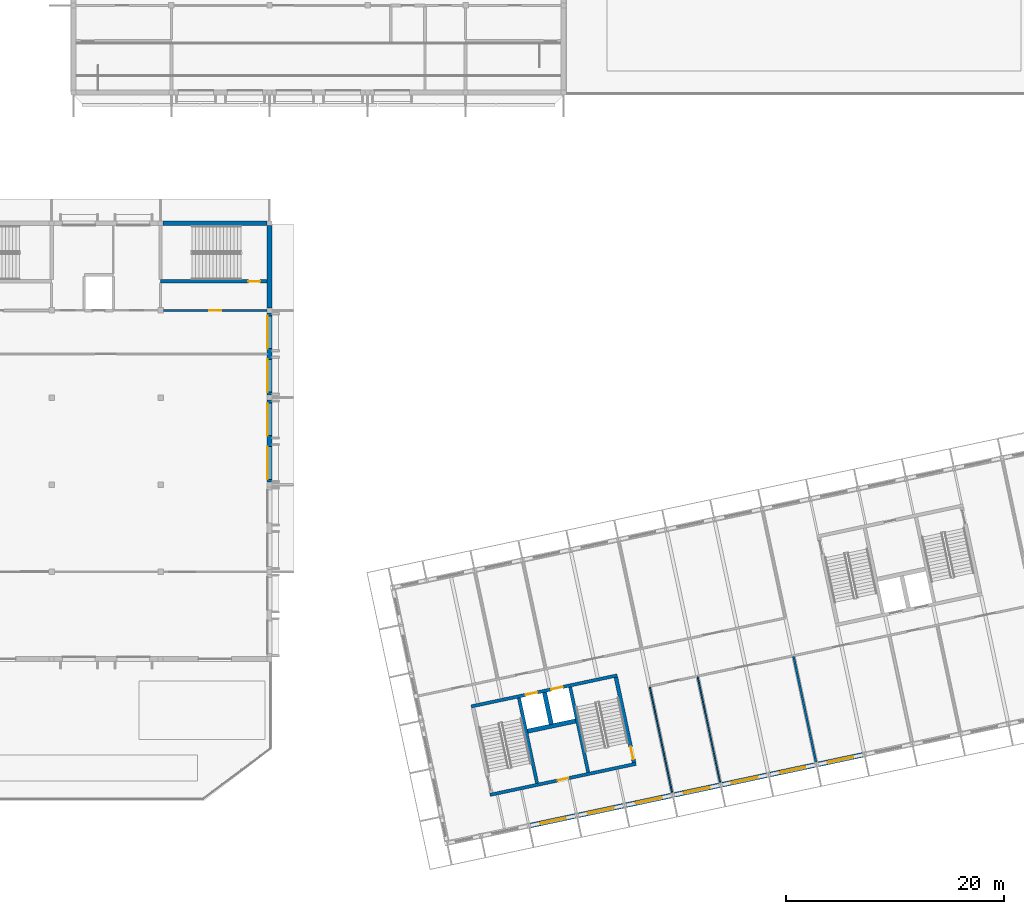
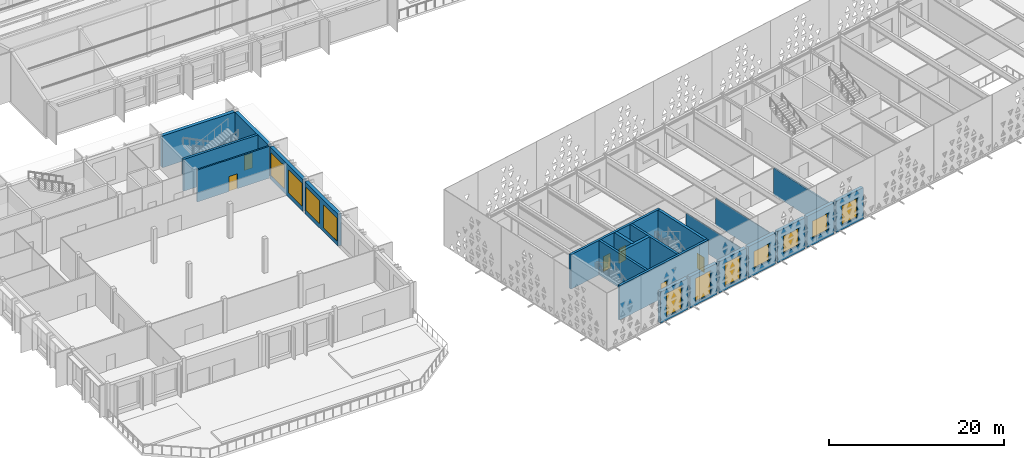
# One storey, part 116 of 196: 23 walls, 11 windows, 6 doors, 17 openings.
"""IFC4 building model written with IfcOpenShell, lengths in metres."""

from ifc_helpers import new_model, si_unit, direction, frame, frame_2d, origin, place, context, subcontext, project, spatial, rectangle, extrude, material, layer, layer_set, type_object, element, fill, save


model = new_model("IFC4")

# Units and contexts
model_context = context("Model", 3, precision=1e-05, world=origin(), true_north=direction((0.0, 1.0)))
body_context = subcontext(model_context, "Body", "Model", "MODEL_VIEW")
ifc_project = project(units=[si_unit("LENGTHUNIT", "METRE"), si_unit("AREAUNIT", "SQUARE_METRE"), si_unit("VOLUMEUNIT", "CUBIC_METRE"), si_unit("PLANEANGLEUNIT", "RADIAN"), si_unit("MASSUNIT", "GRAM", prefix="KILO")], contexts=[model_context])

# Site, building, storey
site_placement = place(None, origin())
site = spatial("IfcSite", under=ifc_project, at=site_placement, CompositionType="ELEMENT")
building_placement = place(site_placement, origin())
building = spatial("IfcBuilding", under=site, at=building_placement, Name="Okhra Congress Centre", CompositionType="ELEMENT")
storey_placement = place(building_placement, frame((0.0, 0.0, 12.0)))
storey = spatial("IfcBuildingStorey", under=building, at=storey_placement, Name="L02", CompositionType="ELEMENT", Elevation=12.0)

# Wall
ifc_material_1 = material(Name="Double gypsum board on steel studs with mineral wool", Category="steel")
ifc_layer_1 = layer(ifc_material_1, 0.199951171875)
ifc_layer_set_1 = layer_set([ifc_layer_1], Name="Acoustic partition 200")
wall_type_1 = type_object("IfcWallType", Name="Acoustic partition 200", PredefinedType="PARTITIONING", material=ifc_layer_set_1)
wall_1_placement = place(storey_placement, frame((96.177490234375, 34.51416015625, 0.0), z_axis=(0.0, 0.0, 1.0), x_axis=(-0.20790935802, 0.978148096582, 0.0)))
element("IfcWall", 1, at=wall_1_placement, inside=storey, type_object=wall_type_1, Name="Partition S L02", PredefinedType="PARTITIONING", context=body_context, shape_type="SweptSolid", body=[
    extrude(rectangle(XDim=9.9248046875, YDim=0.199951171875, at=frame_2d((4.96240234375, 0.0))), origin(), (0.0, 0.0, 1.0), 3.75),
])

# Wall, openings, windows
ifc_material_2 = material(Name="Insulated metal panel on steel stud (mineral wool, vapour barrier)", Category="steel")
ifc_layer_2 = layer(ifc_material_2, 0.449951171875)
ifc_layer_set_2 = layer_set([ifc_layer_2], Name="Insulated wall 450")
wall_type_2 = type_object("IfcWallType", Name="Insulated wall 450", PredefinedType="SOLIDWALL", material=ifc_layer_set_2)
wall_2_placement = place(storey_placement, frame((46.0, 60.22509765625, 0.0), z_axis=(0.0, 0.0, 1.0), x_axis=(0.0, 1.0, 0.0)))
wall_2 = element("IfcWall", 2, at=wall_2_placement, inside=storey, type_object=wall_type_2, Name="RS.WALL.L02.48", PredefinedType="SOLIDWALL", context=body_context, shape_type="SweptSolid", body=[
    extrude(rectangle(XDim=7.5498046875, YDim=0.449951171875, at=frame_2d((3.77490234375, 0.0))), origin(), (0.0, 0.0, 1.0), 4.449951171875),
])
opening_1_placement = place(wall_2_placement, frame((0.27490234375, 0.0, 0.60009765625)))
opening_1 = element("IfcOpeningElement", 3, at=opening_1_placement, cuts=wall_2, Name="Opening WN18", PredefinedType="OPENING", context=body_context, shape_type="SweptSolid", body=[
    extrude(rectangle(XDim=3.0, YDim=3.199951171875, at=frame_2d((1.5, 1.60009765625))), frame((0.0, 0.23486328125, 0.0), z_axis=(0.0, -1.0, 0.0), x_axis=(1.0, 0.0, 0.0)), (0.0, 0.0, 1.0), 0.469970703125),
])
opening_2_placement = place(wall_2_placement, frame((4.27490234375, 0.0, 0.60009765625)))
opening_2 = element("IfcOpeningElement", 4, at=opening_2_placement, cuts=wall_2, Name="Opening WN18", PredefinedType="OPENING", context=body_context, shape_type="SweptSolid", body=[
    extrude(rectangle(XDim=3.0, YDim=3.199951171875, at=frame_2d((1.5, 1.60009765625))), frame((0.0, 0.23486328125, 0.0), z_axis=(0.0, -1.0, 0.0), x_axis=(1.0, 0.0, 0.0)), (0.0, 0.0, 1.0), 0.469970703125),
])
ifc_material_3 = material(Name="Thermally broken aluminium frame, triple glazing", Category="aluminium")
window_type_1 = type_object("IfcWindowType", Name="Fixed window 3000x3200", PartitioningType="SINGLE_PANEL", PredefinedType="WINDOW", material=ifc_material_3)
window_1_placement = place(opening_1_placement, origin())
window_1 = element("IfcWindow", 5, at=window_1_placement, inside=storey, type_object=window_type_1, Name="RS.WIN.L02.19", OverallHeight=3.199951171875, OverallWidth=3.0, PartitioningType="SINGLE_PANEL", PredefinedType="WINDOW", context=body_context, shape_type="SweptSolid", body=[
    extrude(rectangle(XDim=3.0, YDim=3.199951171875, at=frame_2d((1.5, 1.60009765625))), frame((0.0, 0.215087890625, 0.0), z_axis=(0.0, -1.0, 0.0), x_axis=(1.0, 0.0, 0.0)), (0.0, 0.0, 1.0), 0.06005859375),
])
fill(opening_1, window_1)
window_2_placement = place(opening_2_placement, origin())
window_2 = element("IfcWindow", 6, at=window_2_placement, inside=storey, type_object=window_type_1, Name="RS.WIN.L02.20", OverallHeight=3.199951171875, OverallWidth=3.0, PartitioningType="SINGLE_PANEL", PredefinedType="WINDOW", context=body_context, shape_type="SweptSolid", body=[
    extrude(rectangle(XDim=3.0, YDim=3.199951171875, at=frame_2d((1.5, 1.60009765625))), frame((0.0, 0.215087890625, 0.0), z_axis=(0.0, -1.0, 0.0), x_axis=(1.0, 0.0, 0.0)), (0.0, 0.0, 1.0), 0.06005859375),
])
fill(opening_2, window_2)

wall_3_placement = place(storey_placement, frame((46.0, 68.22509765625, 0.0), z_axis=(0.0, 0.0, 1.0), x_axis=(0.0, 1.0, 0.0)))
wall_3 = element("IfcWall", 7, at=wall_3_placement, inside=storey, type_object=wall_type_2, Name="RS.WALL.L02.49", PredefinedType="SOLIDWALL", context=body_context, shape_type="SweptSolid", body=[
    extrude(rectangle(XDim=7.5498046875, YDim=0.449951171875, at=frame_2d((3.77490234375, 0.0))), origin(), (0.0, 0.0, 1.0), 4.449951171875),
])
opening_3_placement = place(wall_3_placement, frame((0.27490234375, 0.0, 0.60009765625)))
opening_3 = element("IfcOpeningElement", 8, at=opening_3_placement, cuts=wall_3, Name="Opening WN18", PredefinedType="OPENING", context=body_context, shape_type="SweptSolid", body=[
    extrude(rectangle(XDim=3.0, YDim=3.199951171875, at=frame_2d((1.5, 1.60009765625))), frame((0.0, 0.23486328125, 0.0), z_axis=(0.0, -1.0, 0.0), x_axis=(1.0, 0.0, 0.0)), (0.0, 0.0, 1.0), 0.469970703125),
])
opening_4_placement = place(wall_3_placement, frame((4.27490234375, 0.0, 0.60009765625)))
opening_4 = element("IfcOpeningElement", 9, at=opening_4_placement, cuts=wall_3, Name="Opening WN18", PredefinedType="OPENING", context=body_context, shape_type="SweptSolid", body=[
    extrude(rectangle(XDim=3.0, YDim=3.199951171875, at=frame_2d((1.5, 1.60009765625))), frame((0.0, 0.23486328125, 0.0), z_axis=(0.0, -1.0, 0.0), x_axis=(1.0, 0.0, 0.0)), (0.0, 0.0, 1.0), 0.469970703125),
])
window_3_placement = place(opening_3_placement, origin())
window_3 = element("IfcWindow", 10, at=window_3_placement, inside=storey, type_object=window_type_1, Name="RS.WIN.L02.21", OverallHeight=3.199951171875, OverallWidth=3.0, PartitioningType="SINGLE_PANEL", PredefinedType="WINDOW", context=body_context, shape_type="SweptSolid", body=[
    extrude(rectangle(XDim=3.0, YDim=3.199951171875, at=frame_2d((1.5, 1.60009765625))), frame((0.0, 0.215087890625, 0.0), z_axis=(0.0, -1.0, 0.0), x_axis=(1.0, 0.0, 0.0)), (0.0, 0.0, 1.0), 0.06005859375),
])
fill(opening_3, window_3)
window_4_placement = place(opening_4_placement, origin())
window_4 = element("IfcWindow", 11, at=window_4_placement, inside=storey, type_object=window_type_1, Name="RS.WIN.L02.22", OverallHeight=3.199951171875, OverallWidth=3.0, PartitioningType="SINGLE_PANEL", PredefinedType="WINDOW", context=body_context, shape_type="SweptSolid", body=[
    extrude(rectangle(XDim=3.0, YDim=3.199951171875, at=frame_2d((1.5, 1.60009765625))), frame((0.0, 0.215087890625, 0.0), z_axis=(0.0, -1.0, 0.0), x_axis=(1.0, 0.0, 0.0)), (0.0, 0.0, 1.0), 0.06005859375),
])
fill(opening_4, window_4)

# Wall, opening, window
wall_4_placement = place(storey_placement, frame((69.9609375, 28.711669921875, 0.0), z_axis=(0.0, 0.0, 1.0), x_axis=(0.978146440129, 0.207917150959, 0.0)))
wall_4 = element("IfcWall", 12, at=wall_4_placement, inside=storey, type_object=wall_type_2, Name="External wall S3 L02", PredefinedType="SOLIDWALL", context=body_context, shape_type="SweptSolid", body=[
    extrude(rectangle(XDim=4.2001953125, YDim=0.449951171875, at=frame_2d((2.10009765625, 0.0))), origin(), (0.0, 0.0, 1.0), 4.35009765625),
])
opening_5_placement = place(wall_4_placement, frame((0.89990234375, 0.0, 0.449951171875)))
opening_5 = element("IfcOpeningElement", 13, at=opening_5_placement, cuts=wall_4, Name="Opening WN21", PredefinedType="OPENING", context=body_context, shape_type="SweptSolid", body=[
    extrude(rectangle(XDim=2.39990234375, YDim=3.300048828125, at=frame_2d((1.199951171875, 1.64990234375))), frame((0.0, 0.23486328125, 0.0), z_axis=(0.0, -1.0, 0.0), x_axis=(1.0, 0.0, 0.0)), (0.0, 0.0, 1.0), 0.469970703125),
])
window_type_2 = type_object("IfcWindowType", Name="Two-light window 2400x3300", PartitioningType="DOUBLE_PANEL_VERTICAL", PredefinedType="WINDOW", material=ifc_material_3)
window_5_placement = place(opening_5_placement, origin())
window_5 = element("IfcWindow", 14, at=window_5_placement, inside=storey, type_object=window_type_2, Name="BX.WIN.L02.3", OverallHeight=3.300048828125, OverallWidth=2.39990234375, PartitioningType="DOUBLE_PANEL_VERTICAL", PredefinedType="WINDOW", context=body_context, shape_type="SweptSolid", body=[
    extrude(rectangle(XDim=2.39990234375, YDim=3.300048828125, at=frame_2d((1.199951171875, 1.64990234375))), frame((0.0, 0.030029296875, 0.0), z_axis=(0.0, -1.0, 0.0), x_axis=(1.0, 0.0, 0.0)), (0.0, 0.0, 1.0), 0.06005859375),
])
fill(opening_5, window_5)

wall_5_placement = place(storey_placement, frame((74.36279296875, 29.647216796875, 0.0), z_axis=(0.0, 0.0, 1.0), x_axis=(0.978143927149, 0.207928972925, 0.0)))
wall_5 = element("IfcWall", 15, at=wall_5_placement, inside=storey, type_object=wall_type_2, Name="External wall S4 L02", PredefinedType="SOLIDWALL", context=body_context, shape_type="SweptSolid", body=[
    extrude(rectangle(XDim=4.199951171875, YDim=0.449951171875, at=frame_2d((2.10009765625, 0.0))), origin(), (0.0, 0.0, 1.0), 4.35009765625),
])
opening_6_placement = place(wall_5_placement, frame((0.89990234375, 0.0, 0.449951171875)))
opening_6 = element("IfcOpeningElement", 16, at=opening_6_placement, cuts=wall_5, Name="Opening WN21", PredefinedType="OPENING", context=body_context, shape_type="SweptSolid", body=[
    extrude(rectangle(XDim=2.39990234375, YDim=3.300048828125, at=frame_2d((1.199951171875, 1.64990234375))), frame((0.0, 0.23486328125, 0.0), z_axis=(0.0, -1.0, 0.0), x_axis=(1.0, 0.0, 0.0)), (0.0, 0.0, 1.0), 0.469970703125),
])
window_6_placement = place(opening_6_placement, origin())
window_6 = element("IfcWindow", 17, at=window_6_placement, inside=storey, type_object=window_type_2, Name="BX.WIN.L02.4", OverallHeight=3.300048828125, OverallWidth=2.39990234375, PartitioningType="DOUBLE_PANEL_VERTICAL", PredefinedType="WINDOW", context=body_context, shape_type="SweptSolid", body=[
    extrude(rectangle(XDim=2.39990234375, YDim=3.300048828125, at=frame_2d((1.199951171875, 1.64990234375))), frame((0.0, 0.030029296875, 0.0), z_axis=(0.0, -1.0, 0.0), x_axis=(1.0, 0.0, 0.0)), (0.0, 0.0, 1.0), 0.06005859375),
])
fill(opening_6, window_6)

wall_6_placement = place(storey_placement, frame((78.764404296875, 30.582763671875, 0.0), z_axis=(0.0, 0.0, 1.0), x_axis=(0.978143927149, 0.207928972925, 0.0)))
wall_6 = element("IfcWall", 18, at=wall_6_placement, inside=storey, type_object=wall_type_2, Name="External wall S5 L02", PredefinedType="SOLIDWALL", context=body_context, shape_type="SweptSolid", body=[
    extrude(rectangle(XDim=4.199951171875, YDim=0.449951171875, at=frame_2d((2.10009765625, 0.0))), origin(), (0.0, 0.0, 1.0), 4.35009765625),
])
opening_7_placement = place(wall_6_placement, frame((0.89990234375, 0.0, 0.449951171875)))
opening_7 = element("IfcOpeningElement", 19, at=opening_7_placement, cuts=wall_6, Name="Opening WN21", PredefinedType="OPENING", context=body_context, shape_type="SweptSolid", body=[
    extrude(rectangle(XDim=2.39990234375, YDim=3.300048828125, at=frame_2d((1.199951171875, 1.64990234375))), frame((0.0, 0.23486328125, 0.0), z_axis=(0.0, -1.0, 0.0), x_axis=(1.0, 0.0, 0.0)), (0.0, 0.0, 1.0), 0.469970703125),
])
window_7_placement = place(opening_7_placement, origin())
window_7 = element("IfcWindow", 20, at=window_7_placement, inside=storey, type_object=window_type_2, Name="BX.WIN.L02.5", OverallHeight=3.300048828125, OverallWidth=2.39990234375, PartitioningType="DOUBLE_PANEL_VERTICAL", PredefinedType="WINDOW", context=body_context, shape_type="SweptSolid", body=[
    extrude(rectangle(XDim=2.39990234375, YDim=3.300048828125, at=frame_2d((1.199951171875, 1.64990234375))), frame((0.0, 0.030029296875, 0.0), z_axis=(0.0, -1.0, 0.0), x_axis=(1.0, 0.0, 0.0)), (0.0, 0.0, 1.0), 0.06005859375),
])
fill(opening_7, window_7)

wall_7_placement = place(storey_placement, frame((83.166015625, 31.5185546875, 0.0), z_axis=(0.0, 0.0, 1.0), x_axis=(0.978155748334, 0.207873355681, 0.0)))
wall_7 = element("IfcWall", 21, at=wall_7_placement, inside=storey, type_object=wall_type_2, Name="External wall S6 L02", PredefinedType="SOLIDWALL", context=body_context, shape_type="SweptSolid", body=[
    extrude(rectangle(XDim=4.199951171875, YDim=0.449951171875, at=frame_2d((2.10009765625, 0.0))), origin(), (0.0, 0.0, 1.0), 4.35009765625),
])
opening_8_placement = place(wall_7_placement, frame((0.89990234375, 0.0, 0.89990234375)))
opening_8 = element("IfcOpeningElement", 22, at=opening_8_placement, cuts=wall_7, Name="Opening WN22", PredefinedType="OPENING", context=body_context, shape_type="SweptSolid", body=[
    extrude(rectangle(XDim=2.39990234375, YDim=2.39990234375, at=frame_2d((1.199951171875, 1.199951171875))), frame((0.0, 0.23486328125, 0.0), z_axis=(0.0, -1.0, 0.0), x_axis=(1.0, 0.0, 0.0)), (0.0, 0.0, 1.0), 0.469970703125),
])
window_type_3 = type_object("IfcWindowType", Name="Fixed window 2400x2400", PartitioningType="SINGLE_PANEL", PredefinedType="WINDOW", material=ifc_material_3)
window_8_placement = place(opening_8_placement, origin())
window_8 = element("IfcWindow", 23, at=window_8_placement, inside=storey, type_object=window_type_3, Name="BX.WIN.L02.6", OverallHeight=2.39990234375, OverallWidth=2.39990234375, PartitioningType="SINGLE_PANEL", PredefinedType="WINDOW", context=body_context, shape_type="SweptSolid", body=[
    extrude(rectangle(XDim=2.39990234375, YDim=2.39990234375, at=frame_2d((1.199951171875, 1.199951171875))), frame((0.0, 0.030029296875, 0.0), z_axis=(0.0, -1.0, 0.0), x_axis=(1.0, 0.0, 0.0)), (0.0, 0.0, 1.0), 0.06005859375),
])
fill(opening_8, window_8)

wall_8_placement = place(storey_placement, frame((87.567626953125, 32.4541015625, 0.0), z_axis=(0.0, 0.0, 1.0), x_axis=(0.97815826, 0.207861536591, 0.0)))
wall_8 = element("IfcWall", 24, at=wall_8_placement, inside=storey, type_object=wall_type_2, Name="External wall S7 L02", PredefinedType="SOLIDWALL", context=body_context, shape_type="SweptSolid", body=[
    extrude(rectangle(XDim=4.2001953125, YDim=0.449951171875, at=frame_2d((2.10009765625, 0.0))), origin(), (0.0, 0.0, 1.0), 4.35009765625),
])
opening_9_placement = place(wall_8_placement, frame((0.89990234375, 0.0, 0.89990234375)))
opening_9 = element("IfcOpeningElement", 25, at=opening_9_placement, cuts=wall_8, Name="Opening WN22", PredefinedType="OPENING", context=body_context, shape_type="SweptSolid", body=[
    extrude(rectangle(XDim=2.39990234375, YDim=2.39990234375, at=frame_2d((1.199951171875, 1.199951171875))), frame((0.0, 0.23486328125, 0.0), z_axis=(0.0, -1.0, 0.0), x_axis=(1.0, 0.0, 0.0)), (0.0, 0.0, 1.0), 0.469970703125),
])
window_9_placement = place(opening_9_placement, origin())
window_9 = element("IfcWindow", 26, at=window_9_placement, inside=storey, type_object=window_type_3, Name="BX.WIN.L02.7", OverallHeight=2.39990234375, OverallWidth=2.39990234375, PartitioningType="SINGLE_PANEL", PredefinedType="WINDOW", context=body_context, shape_type="SweptSolid", body=[
    extrude(rectangle(XDim=2.39990234375, YDim=2.39990234375, at=frame_2d((1.199951171875, 1.199951171875))), frame((0.0, 0.030029296875, 0.0), z_axis=(0.0, -1.0, 0.0), x_axis=(1.0, 0.0, 0.0)), (0.0, 0.0, 1.0), 0.06005859375),
])
fill(opening_9, window_9)

wall_9_placement = place(storey_placement, frame((91.969482421875, 33.3896484375, 0.0), z_axis=(0.0, 0.0, 1.0), x_axis=(0.978143927149, 0.207928972925, 0.0)))
wall_9 = element("IfcWall", 27, at=wall_9_placement, inside=storey, type_object=wall_type_2, Name="External wall S8 L02", PredefinedType="SOLIDWALL", context=body_context, shape_type="SweptSolid", body=[
    extrude(rectangle(XDim=4.199951171875, YDim=0.449951171875, at=frame_2d((2.10009765625, 0.0))), origin(), (0.0, 0.0, 1.0), 4.35009765625),
])
opening_10_placement = place(wall_9_placement, frame((0.89990234375, 0.0, 0.89990234375)))
opening_10 = element("IfcOpeningElement", 28, at=opening_10_placement, cuts=wall_9, Name="Opening WN22", PredefinedType="OPENING", context=body_context, shape_type="SweptSolid", body=[
    extrude(rectangle(XDim=2.39990234375, YDim=2.39990234375, at=frame_2d((1.199951171875, 1.199951171875))), frame((0.0, 0.23486328125, 0.0), z_axis=(0.0, -1.0, 0.0), x_axis=(1.0, 0.0, 0.0)), (0.0, 0.0, 1.0), 0.469970703125),
])
window_10_placement = place(opening_10_placement, origin())
window_10 = element("IfcWindow", 29, at=window_10_placement, inside=storey, type_object=window_type_3, Name="BX.WIN.L02.8", OverallHeight=2.39990234375, OverallWidth=2.39990234375, PartitioningType="SINGLE_PANEL", PredefinedType="WINDOW", context=body_context, shape_type="SweptSolid", body=[
    extrude(rectangle(XDim=2.39990234375, YDim=2.39990234375, at=frame_2d((1.199951171875, 1.199951171875))), frame((0.0, 0.030029296875, 0.0), z_axis=(0.0, -1.0, 0.0), x_axis=(1.0, 0.0, 0.0)), (0.0, 0.0, 1.0), 0.06005859375),
])
fill(opening_10, window_10)

wall_10_placement = place(storey_placement, frame((96.37109375, 34.3251953125, 0.0), z_axis=(0.0, 0.0, 1.0), x_axis=(0.978143927149, 0.207928972925, 0.0)))
wall_10 = element("IfcWall", 30, at=wall_10_placement, inside=storey, type_object=wall_type_2, Name="External wall S9 L02", PredefinedType="SOLIDWALL", context=body_context, shape_type="SweptSolid", body=[
    extrude(rectangle(XDim=4.199951171875, YDim=0.449951171875, at=frame_2d((2.10009765625, 0.0))), origin(), (0.0, 0.0, 1.0), 4.35009765625),
])
opening_11_placement = place(wall_10_placement, frame((0.89990234375, 0.0, 0.60009765625)))
opening_11 = element("IfcOpeningElement", 31, at=opening_11_placement, cuts=wall_10, Name="Opening WN23", PredefinedType="OPENING", context=body_context, shape_type="SweptSolid", body=[
    extrude(rectangle(XDim=2.39990234375, YDim=2.699951171875, at=frame_2d((1.199951171875, 1.35009765625))), frame((0.0, 0.23486328125, 0.0), z_axis=(0.0, -1.0, 0.0), x_axis=(1.0, 0.0, 0.0)), (0.0, 0.0, 1.0), 0.469970703125),
])
window_type_4 = type_object("IfcWindowType", Name="Casement window 2400x2700", PartitioningType="SINGLE_PANEL", PredefinedType="WINDOW", material=ifc_material_3)
window_11_placement = place(opening_11_placement, origin())
window_11 = element("IfcWindow", 32, at=window_11_placement, inside=storey, type_object=window_type_4, Name="BX.WIN.L02.9", OverallHeight=2.699951171875, OverallWidth=2.39990234375, PartitioningType="SINGLE_PANEL", PredefinedType="WINDOW", context=body_context, shape_type="SweptSolid", body=[
    extrude(rectangle(XDim=2.39990234375, YDim=2.699951171875, at=frame_2d((1.199951171875, 1.35009765625))), frame((0.0, 0.030029296875, 0.0), z_axis=(0.0, -1.0, 0.0), x_axis=(1.0, 0.0, 0.0)), (0.0, 0.0, 1.0), 0.06005859375),
])
fill(opening_11, window_11)

# Wall, opening, door
ifc_material_4 = material(Name="Masonry blockwork (aerated concrete D500)", Category="masonry")
ifc_layer_3 = layer(ifc_material_4, 0.199951171875)
ifc_layer_set_3 = layer_set([ifc_layer_3], Name="Masonry block wall 200 EI 45")
wall_type_3 = type_object("IfcWallType", Name="Masonry block wall 200 EI 45", PredefinedType="SOLIDWALL", material=ifc_layer_set_3)
wall_11_placement = place(storey_placement, frame((36.25, 76.0, 0.0), z_axis=(0.0, 0.0, 1.0), x_axis=(1.0, 0.0, 0.0)))
wall_11 = element("IfcWall", 33, at=wall_11_placement, inside=storey, type_object=wall_type_3, Name="RS.WALL.L02.18", PredefinedType="SOLIDWALL", context=body_context, shape_type="SweptSolid", body=[
    extrude(rectangle(XDim=9.52490234375, YDim=0.199951171875, at=frame_2d((4.762451171875, 0.0))), origin(), (0.0, 0.0, 1.0), 4.449951171875),
])
opening_12_placement = place(wall_11_placement, frame((4.199951171875, 0.0, 0.0)))
opening_12 = element("IfcOpeningElement", 34, at=opening_12_placement, cuts=wall_11, Name="Opening L02-018", PredefinedType="OPENING", context=body_context, shape_type="SweptSolid", body=[
    extrude(rectangle(XDim=1.10009765625, YDim=2.10009765625, at=frame_2d((0.550048828125, 1.050048828125))), frame((0.0, 0.10986328125, 0.0), z_axis=(0.0, -1.0, 0.0), x_axis=(1.0, 0.0, 0.0)), (0.0, 0.0, 1.0), 0.219970703125),
])
ifc_material_5 = material(Name="Steel fire door leaf in steel frame, intumescent seals", Category="steel")
door_type_1 = type_object("IfcDoorType", Name="Steel fire door 1100x2100 EI 30", OperationType="NOTDEFINED", PredefinedType="DOOR", material=ifc_material_5)
door_1_placement = place(opening_12_placement, origin())
door_1 = element("IfcDoor", 35, at=door_1_placement, inside=storey, type_object=door_type_1, Name="Door L02-018", OperationType="SINGLE_SWING_LEFT", OverallHeight=2.10009765625, OverallWidth=1.10009765625, PredefinedType="DOOR", context=body_context, shape_type="SweptSolid", body=[
    extrude(rectangle(XDim=1.10009765625, YDim=2.10009765625, at=frame_2d((0.550048828125, 1.050048828125))), frame((0.0, 0.02490234375, 0.0), z_axis=(0.0, -1.0, 0.0), x_axis=(1.0, 0.0, 0.0)), (0.0, 0.0, 1.0), 0.050048828125),
])
fill(opening_12, door_1)

# Walls
ifc_material_6 = material(Name="Gypsum board on steel studs", Category="steel")
ifc_layer_4 = layer(ifc_material_6, 0.125)
ifc_layer_set_4 = layer_set([ifc_layer_4], Name="Partition 125")
wall_type_4 = type_object("IfcWallType", Name="Partition 125", PredefinedType="PARTITIONING", material=ifc_layer_set_4)
for number, where, z_axis, x_axis, name in (
    (36, (82.972412109375, 31.707275390625, 0.0), (0.0, 0.0, 1.0), (-0.207904355568, 0.978149159861, 0.0), "Partition S L02"),
    (37, (87.374267578125, 32.642822265625, 0.0), (0.0, 0.0, 1.0), (-0.207904355568, 0.978149159861, 0.0), "Partition S L02"),
):
    element("IfcWall", number, at=place(storey_placement, frame(where, z_axis=z_axis, x_axis=x_axis)), inside=storey, type_object=wall_type_4, Name=name, PredefinedType="PARTITIONING", context=body_context, shape_type="SweptSolid", body=[
        extrude(rectangle(XDim=9.925048828125, YDim=0.125, at=frame_2d((4.96240234375, 0.0))), origin(), (0.0, 0.0, 1.0), 3.75),
    ])

# Wall, opening, door
ifc_material_7 = material(Name="Concrete C35/45", Category="concrete")
ifc_layer_5 = layer(ifc_material_7, 0.300048828125)
ifc_layer_set_5 = layer_set([ifc_layer_5], Name="RC core wall 300 REI 120 C35/45")
wall_type_5 = type_object("IfcWallType", Name="RC core wall 300 REI 120 C35/45", PredefinedType="SHEAR", material=ifc_layer_set_5)
wall_12_placement = place(storey_placement, frame((66.244873046875, 31.525390625, 0.0), z_axis=(0.0, 0.0, 1.0), x_axis=(0.978147662755, 0.20791139903, 0.0)))
wall_12 = element("IfcWall", 38, at=wall_12_placement, inside=storey, type_object=wall_type_5, Name="BX.WALL.L02.K1S", PredefinedType="SHEAR", context=body_context, shape_type="SweptSolid", body=[
    extrude(rectangle(XDim=13.699951171875, YDim=0.300048828125, at=frame_2d((6.85009765625, 0.0))), origin(), (0.0, 0.0, 1.0), 4.800048828125),
])
opening_13_placement = place(wall_12_placement, frame((6.35009765625, 0.0, 0.0)))
opening_13 = element("IfcOpeningElement", 39, at=opening_13_placement, cuts=wall_12, Name="Opening L02-040", PredefinedType="OPENING", context=body_context, shape_type="SweptSolid", body=[
    extrude(rectangle(XDim=1.0, YDim=2.10009765625, at=frame_2d((0.5, 1.050048828125))), frame((0.0, 0.159912109375, 0.0), z_axis=(0.0, -1.0, 0.0), x_axis=(1.0, 0.0, 0.0)), (0.0, 0.0, 1.0), 0.320068359375),
])
door_type_2 = type_object("IfcDoorType", Name="Steel fire door 1000x2100 EI 30", OperationType="NOTDEFINED", PredefinedType="DOOR", material=ifc_material_5)
door_2_placement = place(opening_13_placement, origin())
door_2 = element("IfcDoor", 40, at=door_2_placement, inside=storey, type_object=door_type_2, Name="Door L02-040", OperationType="SINGLE_SWING_RIGHT", OverallHeight=2.10009765625, OverallWidth=1.0, PredefinedType="DOOR", context=body_context, shape_type="SweptSolid", body=[
    extrude(rectangle(XDim=1.0, YDim=2.10009765625, at=frame_2d((0.5, 1.050048828125))), frame((0.0, 0.02490234375, 0.0), z_axis=(0.0, -1.0, 0.0), x_axis=(1.0, 0.0, 0.0)), (0.0, 0.0, 1.0), 0.050048828125),
])
fill(opening_13, door_2)

# Wall, openings, doors
wall_13_placement = place(storey_placement, frame((64.51904296875, 39.64404296875, 0.0), z_axis=(0.0, 0.0, 1.0), x_axis=(0.978147662755, 0.20791139903, 0.0)))
wall_13 = element("IfcWall", 41, at=wall_13_placement, inside=storey, type_object=wall_type_5, Name="BX.WALL.L02.K1T", PredefinedType="SHEAR", context=body_context, shape_type="SweptSolid", body=[
    extrude(rectangle(XDim=13.699951171875, YDim=0.300048828125, at=frame_2d((6.85009765625, 0.0))), origin(), (0.0, 0.0, 1.0), 4.800048828125),
])
opening_14_placement = place(wall_13_placement, frame((5.10009765625, 0.0, 0.0)))
opening_14 = element("IfcOpeningElement", 42, at=opening_14_placement, cuts=wall_13, Name="Opening L02-036", PredefinedType="OPENING", context=body_context, shape_type="SweptSolid", body=[
    extrude(rectangle(XDim=1.10009765625, YDim=2.10009765625, at=frame_2d((0.550048828125, 1.050048828125))), frame((0.0, 0.159912109375, 0.0), z_axis=(0.0, -1.0, 0.0), x_axis=(1.0, 0.0, 0.0)), (0.0, 0.0, 1.0), 0.320068359375),
])
opening_15_placement = place(wall_13_placement, frame((7.5, 0.0, 0.0)))
opening_15 = element("IfcOpeningElement", 43, at=opening_15_placement, cuts=wall_13, Name="Opening L02-037", PredefinedType="OPENING", context=body_context, shape_type="SweptSolid", body=[
    extrude(rectangle(XDim=1.10009765625, YDim=2.10009765625, at=frame_2d((0.550048828125, 1.050048828125))), frame((0.0, 0.159912109375, 0.0), z_axis=(0.0, -1.0, 0.0), x_axis=(1.0, 0.0, 0.0)), (0.0, 0.0, 1.0), 0.320068359375),
])
ifc_material_8 = material(Name="Stainless steel sliding landing door leaves", Category="steel")
door_type_3 = type_object("IfcDoorType", Name="Lift landing door 1100x2100 EI 30", OperationType="DOUBLE_DOOR_SLIDING", PredefinedType="DOOR", material=ifc_material_8)
door_3_placement = place(opening_14_placement, origin())
door_3 = element("IfcDoor", 44, at=door_3_placement, inside=storey, type_object=door_type_3, Name="Door L02-036", OperationType="DOUBLE_DOOR_SLIDING", OverallHeight=2.10009765625, OverallWidth=1.10009765625, PredefinedType="DOOR", context=body_context, shape_type="SweptSolid", body=[
    extrude(rectangle(XDim=1.10009765625, YDim=2.10009765625, at=frame_2d((0.550048828125, 1.050048828125))), frame((0.0, 0.02490234375, 0.0), z_axis=(0.0, -1.0, 0.0), x_axis=(1.0, 0.0, 0.0)), (0.0, 0.0, 1.0), 0.050048828125),
])
fill(opening_14, door_3)
door_4_placement = place(opening_15_placement, origin())
door_4 = element("IfcDoor", 45, at=door_4_placement, inside=storey, type_object=door_type_3, Name="Door L02-037", OperationType="DOUBLE_DOOR_SLIDING", OverallHeight=2.10009765625, OverallWidth=1.10009765625, PredefinedType="DOOR", context=body_context, shape_type="SweptSolid", body=[
    extrude(rectangle(XDim=1.10009765625, YDim=2.10009765625, at=frame_2d((0.550048828125, 1.050048828125))), frame((0.0, 0.02490234375, 0.0), z_axis=(0.0, -1.0, 0.0), x_axis=(1.0, 0.0, 0.0)), (0.0, 0.0, 1.0), 0.050048828125),
])
fill(opening_15, door_4)

# Walls
for number, where, z_axis, x_axis, name in (
    (46, (70.56640625, 32.597412109375, 0.0), (0.0, 0.0, 1.0), (-0.207915693476, 0.978146749934, 0.0), "BX.WALL.L02.K1P1"),
    (47, (75.261474609375, 33.595458984375, 0.0), (0.0, 0.0, 1.0), (-0.207915693476, 0.978146749934, 0.0), "BX.WALL.L02.K1P2"),
):
    element("IfcWall", number, at=place(storey_placement, frame(where, z_axis=z_axis, x_axis=x_axis)), inside=storey, type_object=wall_type_5, Name=name, PredefinedType="SHEAR", context=body_context, shape_type="SweptSolid", body=[
        extrude(rectangle(XDim=8.0, YDim=0.300048828125, at=frame_2d((4.0, 0.0))), origin(), (0.0, 0.0, 1.0), 4.800048828125),
    ])

# Wall, opening, door
wall_14_placement = place(storey_placement, frame((36.0, 78.675048828125, 0.0), z_axis=(0.0, 0.0, 1.0), x_axis=(1.0, 0.0, 0.0)))
wall_14 = element("IfcWall", 48, at=wall_14_placement, inside=storey, type_object=wall_type_5, Name="RS.WALL.L02.20", PredefinedType="SHEAR", context=body_context, shape_type="SweptSolid", body=[
    extrude(rectangle(XDim=9.77490234375, YDim=0.300048828125, at=frame_2d((4.887451171875, 0.0))), origin(), (0.0, 0.0, 1.0), 4.449951171875),
])
opening_16_placement = place(wall_14_placement, frame((8.050048828125, 0.0, 0.0)))
opening_16 = element("IfcOpeningElement", 49, at=opening_16_placement, cuts=wall_14, Name="Opening L02-019", PredefinedType="OPENING", context=body_context, shape_type="SweptSolid", body=[
    extrude(rectangle(XDim=1.10009765625, YDim=2.10009765625, at=frame_2d((0.550048828125, 1.050048828125))), frame((0.0, 0.159912109375, 0.0), z_axis=(0.0, -1.0, 0.0), x_axis=(1.0, 0.0, 0.0)), (0.0, 0.0, 1.0), 0.320068359375),
])
door_5_placement = place(opening_16_placement, origin())
door_5 = element("IfcDoor", 50, at=door_5_placement, inside=storey, type_object=door_type_1, Name="Door L02-019", OperationType="SINGLE_SWING_RIGHT", OverallHeight=2.10009765625, OverallWidth=1.10009765625, PredefinedType="DOOR", context=body_context, shape_type="SweptSolid", body=[
    extrude(rectangle(XDim=1.10009765625, YDim=2.10009765625, at=frame_2d((0.550048828125, 1.050048828125))), frame((0.0, 0.02490234375, 0.0), z_axis=(0.0, -1.0, 0.0), x_axis=(1.0, 0.0, 0.0)), (0.0, 0.0, 1.0), 0.050048828125),
])
fill(opening_16, door_5)

# Walls
ifc_layer_6 = layer(ifc_material_7, 0.39990234375)
ifc_layer_set_6 = layer_set([ifc_layer_6], Name="RC core wall 400 REI 120 C35/45")
wall_type_6 = type_object("IfcWallType", Name="RC core wall 400 REI 120 C35/45", PredefinedType="SHEAR", material=ifc_layer_set_6)
wall_15_placement = place(storey_placement, frame((71.874267578125, 37.987060546875, 0.0), z_axis=(0.0, 0.0, 1.0), x_axis=(-0.20783929028, 0.978162987143, 0.0)))
element("IfcWall", 51, at=wall_15_placement, inside=storey, type_object=wall_type_6, Name="BX.WALL.L02.K1D", PredefinedType="SHEAR", context=body_context, shape_type="SweptSolid", body=[
    extrude(rectangle(XDim=3.0, YDim=0.39990234375, at=frame_2d((1.5, 0.0))), origin(), (0.0, 0.0, 1.0), 4.800048828125),
])
wall_16_placement = place(storey_placement, frame((69.704833984375, 37.37255859375, 0.0), z_axis=(0.0, 0.0, 1.0), x_axis=(0.978149611564, 0.20790223038, 0.0)))
element("IfcWall", 52, at=wall_16_placement, inside=storey, type_object=wall_type_6, Name="BX.WALL.L02.K1R", PredefinedType="SHEAR", context=body_context, shape_type="SweptSolid", body=[
    extrude(rectangle(XDim=4.5, YDim=0.39990234375, at=frame_2d((2.25, 0.0))), origin(), (0.0, 0.0, 1.0), 4.800048828125),
])
ifc_material_9 = material(Name="Concrete C30/37", Category="concrete")
ifc_layer_7 = layer(ifc_material_9, 0.449951171875)
ifc_layer_set_7 = layer_set([ifc_layer_7], Name="RC facade wall 450 REI 120 C30/37")
wall_type_7 = type_object("IfcWallType", Name="RC facade wall 450 REI 120 C30/37", PredefinedType="SOLIDWALL", material=ifc_layer_set_7)
wall_17_placement = place(storey_placement, frame((45.77490234375, 84.0, 0.0), z_axis=(0.0, 0.0, 1.0), x_axis=(-1.0, 0.0, 0.0)))
element("IfcWall", 53, at=wall_17_placement, inside=storey, type_object=wall_type_7, Name="RS.WALL.L02.25", PredefinedType="SOLIDWALL", context=body_context, shape_type="SweptSolid", body=[
    extrude(rectangle(XDim=9.5498046875, YDim=0.449951171875, at=frame_2d((4.77490234375, 0.0))), origin(), (0.0, 0.0, 1.0), 4.449951171875),
])
wall_18_placement = place(storey_placement, frame((46.0, 76.22509765625, 0.0), z_axis=(0.0, 0.0, 1.0), x_axis=(0.0, 1.0, 0.0)))
element("IfcWall", 54, at=wall_18_placement, inside=storey, type_object=wall_type_7, Name="RS.WALL.L02.50", PredefinedType="SOLIDWALL", context=body_context, shape_type="SweptSolid", body=[
    extrude(rectangle(XDim=7.5498046875, YDim=0.449951171875, at=frame_2d((3.77490234375, 0.0))), origin(), (0.0, 0.0, 1.0), 4.449951171875),
])

# Wall, opening, door
ifc_layer_8 = layer(ifc_material_9, 0.35009765625)
ifc_layer_set_8 = layer_set([ifc_layer_8], Name="RC wall 350 REI 120 C30/37")
wall_type_8 = type_object("IfcWallType", Name="RC wall 350 REI 120 C30/37", PredefinedType="SOLIDWALL", material=ifc_layer_set_8)
wall_19_placement = place(storey_placement, frame((79.467529296875, 34.489501953125, 0.0), z_axis=(0.0, 0.0, 1.0), x_axis=(-0.207915693476, 0.978146749934, 0.0)))
wall_19 = element("IfcWall", 55, at=wall_19_placement, inside=storey, type_object=wall_type_8, Name="BX.WALL.L02.K1E", PredefinedType="SOLIDWALL", context=body_context, shape_type="SweptSolid", body=[
    extrude(rectangle(XDim=8.0, YDim=0.35009765625, at=frame_2d((4.0, 0.0))), origin(), (0.0, 0.0, 1.0), 4.800048828125),
])
opening_17_placement = place(wall_19_placement, frame((0.300048828125, 0.0, 0.0)))
opening_17 = element("IfcOpeningElement", 56, at=opening_17_placement, cuts=wall_19, Name="Opening L02-039", PredefinedType="OPENING", context=body_context, shape_type="SweptSolid", body=[
    extrude(rectangle(XDim=1.199951171875, YDim=2.10009765625, at=frame_2d((0.60009765625, 1.050048828125))), frame((0.0, 0.18505859375, 0.0), z_axis=(0.0, -1.0, 0.0), x_axis=(1.0, 0.0, 0.0)), (0.0, 0.0, 1.0), 0.3701171875),
])
door_type_4 = type_object("IfcDoorType", Name="Steel fire door 1200x2100 EI 30", OperationType="NOTDEFINED", PredefinedType="DOOR", material=ifc_material_5)
door_6_placement = place(opening_17_placement, frame((1.199951171875, 0.0, 0.0), z_axis=(0.0, 0.0, 1.0), x_axis=(-1.0, 0.0, 0.0)))
door_6 = element("IfcDoor", 57, at=door_6_placement, inside=storey, type_object=door_type_4, Name="Door L02-039", OperationType="SINGLE_SWING_LEFT", OverallHeight=2.10009765625, OverallWidth=1.199951171875, PredefinedType="DOOR", context=body_context, shape_type="SweptSolid", body=[
    extrude(rectangle(XDim=1.199951171875, YDim=2.10009765625, at=frame_2d((0.60009765625, 1.050048828125))), frame((0.0, 0.02490234375, 0.0), z_axis=(0.0, -1.0, 0.0), x_axis=(1.0, 0.0, 0.0)), (0.0, 0.0, 1.0), 0.050048828125),
])
fill(opening_17, door_6)

save(model, "model.ifc")
